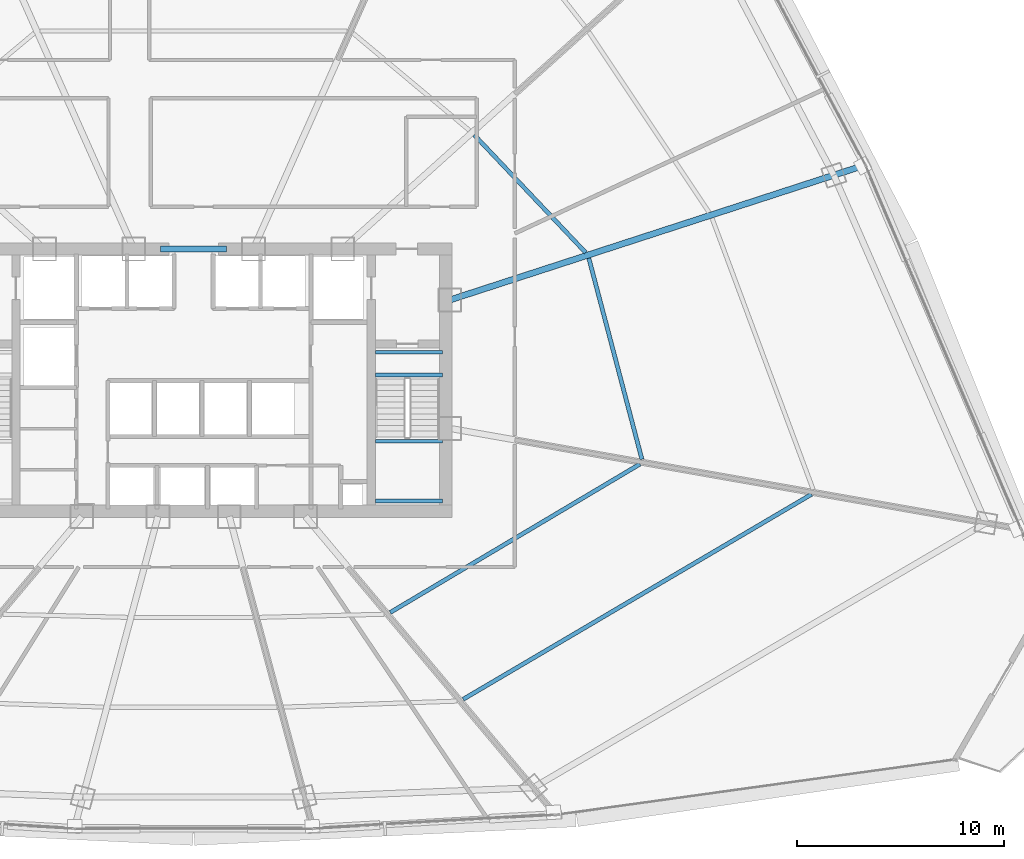
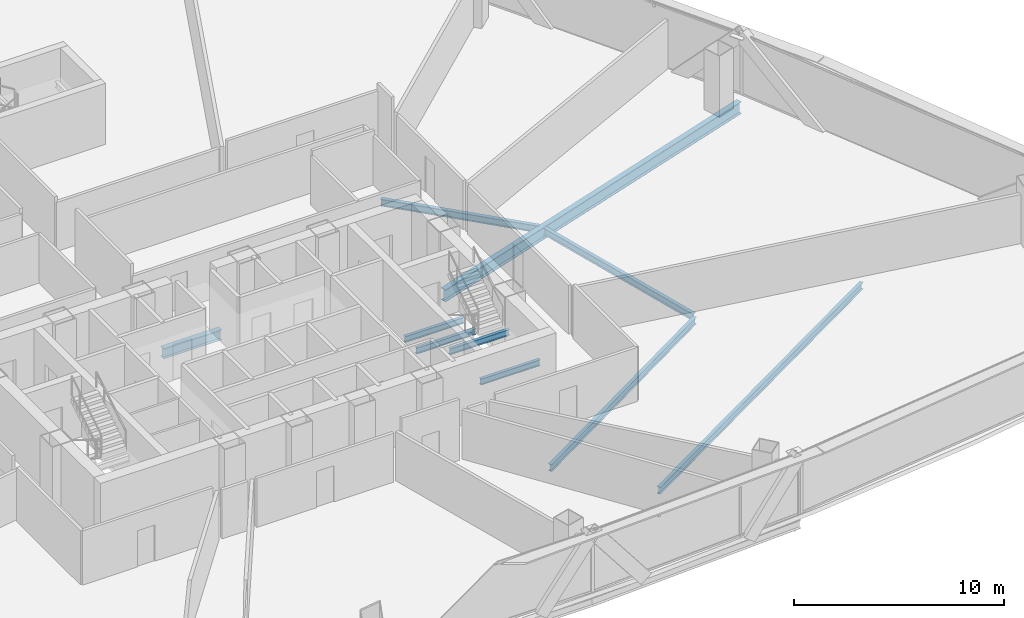
# One storey, part 13 of 36: 10 beams.
"""IFC4 building model written with IfcOpenShell, lengths in metres."""

from ifc_helpers import new_model, si_unit, direction, frame, origin, origin_2d, place, context, subcontext, project, spatial, i_section, extrude, source, transform, mapped, material, material_profile, profile_set, type_object, element, save


model = new_model("IFC4")

# Units and contexts
model_context = context("Model", 3, precision=1e-05, world=origin(), true_north=direction((0.0, 1.0)))
body_context = subcontext(model_context, "Body", "Model", "MODEL_VIEW")
ifc_project = project(units=[si_unit("LENGTHUNIT", "METRE"), si_unit("AREAUNIT", "SQUARE_METRE"), si_unit("VOLUMEUNIT", "CUBIC_METRE"), si_unit("PLANEANGLEUNIT", "RADIAN"), si_unit("MASSUNIT", "GRAM", prefix="KILO"), si_unit("THERMODYNAMICTEMPERATUREUNIT", "KELVIN"), si_unit("POWERUNIT", "WATT")], contexts=[model_context])

# Site, building, storey
site_placement = place(None, origin())
site = spatial("IfcSite", under=ifc_project, at=site_placement, CompositionType="ELEMENT")
building_placement = place(site_placement, origin())
building = spatial("IfcBuilding", under=site, at=building_placement, Name="Yunzhuo Pagoda Commons", CompositionType="ELEMENT")
storey_placement = place(building_placement, frame((0.0, 0.0, 107.780029296875)))
storey = spatial("IfcBuildingStorey", under=building, at=storey_placement, Name="L27", CompositionType="ELEMENT", Elevation=107.780029296875)

# Beams
ifc_material_1 = material(Name="Structural steel Q355B", Category="steel")
ifc_material_profile_1 = material_profile(ifc_material_1, i_section(OverallWidth=0.175048828125, OverallDepth=0.35009765625, WebThickness=0.007080078125, FlangeThickness=0.010986328125, at=origin_2d()), Name="Structural steel Q355B")
ifc_profile_set_1 = profile_set([ifc_material_profile_1], Name="Structural steel Q355B")
beam_type_1 = type_object("IfcBeamType", Name="B-JS2 Joist HN 350x175x7x11", PredefinedType="JOIST", material=ifc_profile_set_1)
shared_shape_1 = source(origin(), body_context, "Body", "SweptSolid", [
    extrude(i_section(OverallWidth=0.175048828125, OverallDepth=0.35009765625, WebThickness=0.007080078125, FlangeThickness=0.010986328125, at=origin_2d()), origin(), (0.0, 0.0, 1.0), 3.25),
])
for number, where, z_axis, x_axis, name in (
    (1, (56.800048828125, 28.0, 1.52490234375), (1.0, 0.0, 0.0), (0.0, 1.0, 0.0), "L27 ST2 landing support beam 33A"),
    (2, (56.800048828125, 30.89990234375, 1.52490234375), (1.0, 0.0, 0.0), (0.0, 1.0, 0.0), "L27 ST2 landing support beam 33B"),
    (3, (56.800048828125, 34.10009765625, -0.375), (1.0, 0.0, 0.0), (0.0, 1.0, 0.0), "L27 ST2 landing support beam 131A"),
    (4, (56.800048828125, 35.199951171875, -0.375), (1.0, 0.0, 0.0), (0.0, 1.0, 0.0), "L27 ST2 landing support beam 131B"),
):
    element("IfcBeam", number, at=place(storey_placement, frame(where, z_axis=z_axis, x_axis=x_axis)), inside=storey, type_object=beam_type_1, Name=name, PredefinedType="JOIST", context=body_context, shape_type="MappedRepresentation", body=[
        mapped(shared_shape_1, transform((0.0, 0.0, 0.0), scale=1.0)),
    ])
ifc_material_2 = material(Name="Structural steel Q420B", Category="steel")
ifc_material_profile_2 = material_profile(ifc_material_2, i_section(OverallWidth=0.300048828125, OverallDepth=0.587890625, WebThickness=0.011962890625, FlangeThickness=0.02001953125, at=origin_2d()), Name="Structural steel Q420B")
ifc_profile_set_2 = profile_set([ifc_material_profile_2], Name="Structural steel Q420B")
beam_type_2 = type_object("IfcBeamType", Name="B-CPL Beam HM 588x300x12x20", PredefinedType="BEAM", material=ifc_profile_set_2)
shared_shape_2 = source(origin(), body_context, "Body", "SweptSolid", [
    extrude(i_section(OverallWidth=0.300048828125, OverallDepth=0.587890625, WebThickness=0.011962890625, FlangeThickness=0.02001953125, at=origin_2d()), origin(), (0.0, 0.0, 1.0), 3.2001953125),
])
beam_1_placement = place(storey_placement, frame((46.39990234375, 40.199951171875, -0.553955078125), z_axis=(1.0, 0.0, 0.0), x_axis=(0.0, 1.0, 0.0)))
element("IfcBeam", 5, at=beam_1_placement, inside=storey, type_object=beam_type_2, Name="L27 core coupling girder", PredefinedType="BEAM", context=body_context, shape_type="MappedRepresentation", body=[
    mapped(shared_shape_2, transform((0.0, 0.0, 0.0), scale=1.0)),
])
ifc_material_profile_3 = material_profile(ifc_material_1, i_section(OverallWidth=0.199951171875, OverallDepth=0.39990234375, WebThickness=0.008056640625, FlangeThickness=0.012939453125, at=origin_2d()), Name="Structural steel Q355B")
ifc_profile_set_3 = profile_set([ifc_material_profile_3], Name="Structural steel Q355B")
beam_type_3 = type_object("IfcBeamType", Name="B-JS1 Joist HN 400x200x8x13", PredefinedType="JOIST", material=ifc_profile_set_3)
shared_shape_3 = source(origin(), body_context, "Body", "SweptSolid", [
    extrude(i_section(OverallWidth=0.199951171875, OverallDepth=0.39990234375, WebThickness=0.008056640625, FlangeThickness=0.012939453125, at=origin_2d()), origin(), (0.0, 0.0, 1.0), 14.061767578125),
])
beam_2_placement = place(storey_placement, frame((57.517578125, 22.601806640625, -0.4599609375), z_axis=(0.859683443923, 0.510827149088, 0.0), x_axis=(-0.510827149088, 0.859683443923, 0.0)))
element("IfcBeam", 6, at=beam_2_placement, inside=storey, type_object=beam_type_3, Name="L27 composite ring joist 1.4", PredefinedType="JOIST", context=body_context, shape_type="MappedRepresentation", body=[
    mapped(shared_shape_3, transform((0.0, 0.0, 0.0), scale=1.0)),
])
shared_shape_4 = source(origin(), body_context, "Body", "SweptSolid", [
    extrude(i_section(OverallWidth=0.199951171875, OverallDepth=0.39990234375, WebThickness=0.008056640625, FlangeThickness=0.012939453125, at=origin_2d()), origin(), (0.0, 0.0, 1.0), 19.568603515625),
])
beam_3_placement = place(storey_placement, frame((61.04541015625, 18.39697265625, -0.4599609375), z_axis=(0.861862685393, 0.50714170754, 0.0), x_axis=(-0.50714170754, 0.861862685393, 0.0)))
element("IfcBeam", 7, at=beam_3_placement, inside=storey, type_object=beam_type_3, Name="L27 composite ring joist 2.4", PredefinedType="JOIST", context=body_context, shape_type="MappedRepresentation", body=[
    mapped(shared_shape_4, transform((0.0, 0.0, 0.0), scale=1.0)),
])
shared_shape_5 = source(origin(), body_context, "Body", "SweptSolid", [
    extrude(i_section(OverallWidth=0.199951171875, OverallDepth=0.39990234375, WebThickness=0.008056640625, FlangeThickness=0.012939453125, at=origin_2d()), origin(), (0.0, 0.0, 1.0), 10.0634765625),
])
beam_4_placement = place(storey_placement, frame((69.702392578125, 30.019775390625, -0.4599609375), z_axis=(-0.255289713136, 0.966864603948, 0.0), x_axis=(-0.966864603948, -0.255289713136, 0.0)))
element("IfcBeam", 8, at=beam_4_placement, inside=storey, type_object=beam_type_3, Name="L27 composite ring joist 1.5", PredefinedType="JOIST", context=body_context, shape_type="MappedRepresentation", body=[
    mapped(shared_shape_5, transform((0.0, 0.0, 0.0), scale=1.0)),
])
shared_shape_6 = source(origin(), body_context, "Body", "SweptSolid", [
    extrude(i_section(OverallWidth=0.199951171875, OverallDepth=0.39990234375, WebThickness=0.008056640625, FlangeThickness=0.012939453125, at=origin_2d()), origin(), (0.0, 0.0, 1.0), 7.85009765625),
])
beam_5_placement = place(storey_placement, frame((66.9833984375, 40.01904296875, -0.4599609375), z_axis=(-0.687513423145, 0.726171669095, 0.0), x_axis=(-0.726171669095, -0.687513423145, 0.0)))
element("IfcBeam", 9, at=beam_5_placement, inside=storey, type_object=beam_type_3, Name="L27 composite ring joist 1.6", PredefinedType="JOIST", context=body_context, shape_type="MappedRepresentation", body=[
    mapped(shared_shape_6, transform((0.0, 0.0, 0.0), scale=1.0)),
])
ifc_material_profile_4 = material_profile(ifc_material_1, i_section(OverallWidth=0.300048828125, OverallDepth=0.699951171875, WebThickness=0.012939453125, FlangeThickness=0.02392578125, at=origin_2d()), Name="Structural steel Q355B")
ifc_profile_set_4 = profile_set([ifc_material_profile_4], Name="Structural steel Q355B")
beam_type_4 = type_object("IfcBeamType", Name="B-RG1 Beam HN 700x300x13x24", PredefinedType="BEAM", material=ifc_profile_set_4)
shared_shape_7 = source(origin(), body_context, "Body", "SweptSolid", [
    extrude(i_section(OverallWidth=0.300048828125, OverallDepth=0.699951171875, WebThickness=0.012939453125, FlangeThickness=0.02392578125, at=origin_2d()), origin(), (0.0, 0.0, 1.0), 21.0078125),
])
beam_6_placement = place(storey_placement, frame((80.379638671875, 44.220703125, -0.610107421875), z_axis=(-0.951058064092, -0.309012230705, 0.0), x_axis=(0.309012230705, -0.951058064092, 0.0)))
element("IfcBeam", 10, at=beam_6_placement, inside=storey, type_object=beam_type_4, Name="L27 radial floor girder F2C2", PredefinedType="BEAM", context=body_context, shape_type="MappedRepresentation", body=[
    mapped(shared_shape_7, transform((0.0, 0.0, 0.0), scale=1.0)),
])

save(model, "model.ifc")
